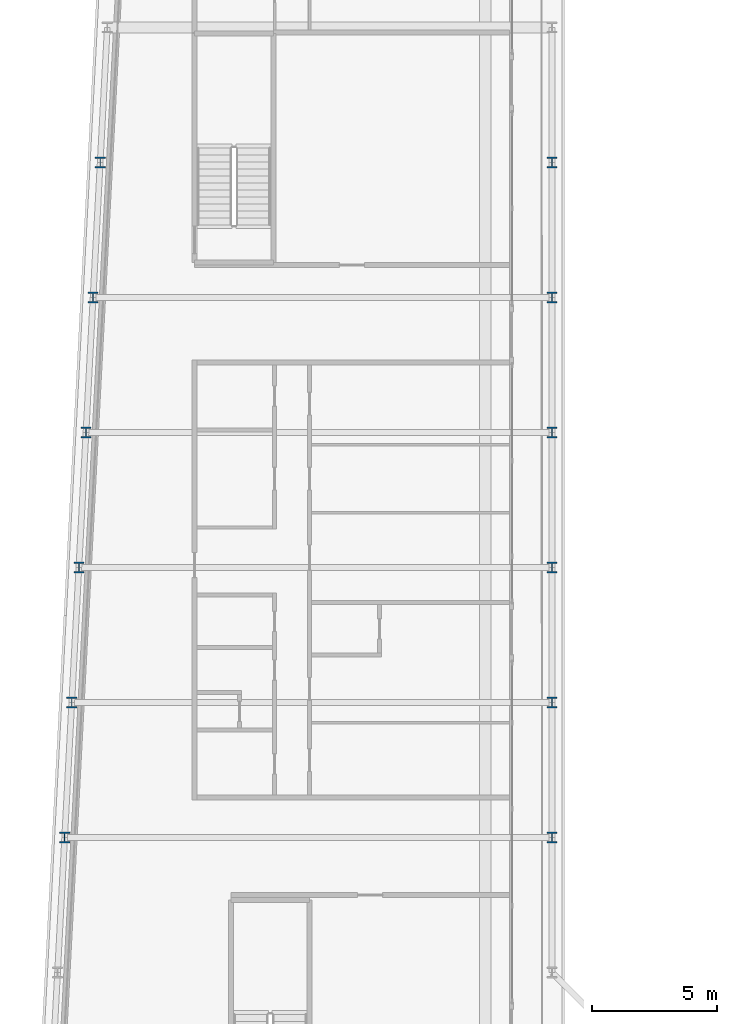
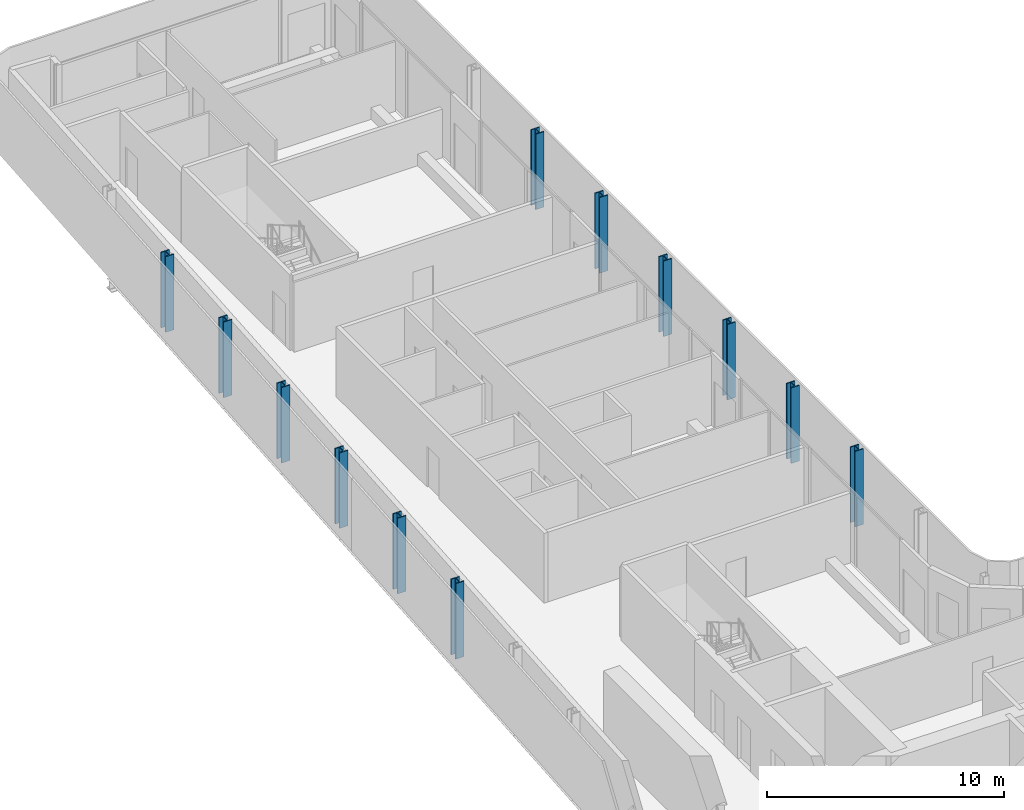
# One storey, part 3 of 28: 12 columns.
"""IFC4 building model written with IfcOpenShell, lengths in metres."""

from ifc_helpers import new_model, si_unit, direction, frame, origin, origin_2d, place, context, subcontext, project, spatial, i_section, extrude, material, material_profile, profile_set, type_object, element, save


model = new_model("IFC4")

# Units and contexts
model_context = context("Model", 3, precision=1e-05, world=origin(), true_north=direction((0.0, 1.0)))
body_context = subcontext(model_context, "Body", "Model", "MODEL_VIEW")
ifc_project = project(units=[si_unit("LENGTHUNIT", "METRE"), si_unit("AREAUNIT", "SQUARE_METRE"), si_unit("VOLUMEUNIT", "CUBIC_METRE"), si_unit("PLANEANGLEUNIT", "RADIAN"), si_unit("MASSUNIT", "GRAM", prefix="KILO")], contexts=[model_context])

# Site, building, storey
site_placement = place(None, origin())
site = spatial("IfcSite", under=ifc_project, at=site_placement, CompositionType="ELEMENT")
building_placement = place(site_placement, origin())
building = spatial("IfcBuilding", under=site, at=building_placement, Name="Kheshtan School and Residences Tower", CompositionType="ELEMENT")
storey_placement = place(building_placement, frame((0.0, 0.0, 187.699951171875)))
storey = spatial("IfcBuildingStorey", under=building, at=storey_placement, Name="L44", CompositionType="ELEMENT", Elevation=187.699951171875)

# Columns
ifc_material = material(Name="Steel ASTM A992 Grade 50", Category="steel")
ifc_material_profile = material_profile(ifc_material, i_section(OverallWidth=0.408935546875, OverallDepth=0.425048828125, WebThickness=0.03271484375, FlangeThickness=0.052490234375, FilletRadius=0.0126953125, at=origin_2d()), Name="W360x421")
ifc_profile_set = profile_set([ifc_material_profile], Name="Steel ASTM A992 Grade 50")
column_type = type_object("IfcColumnType", Name="Column C3 W360x421 ASTM A992 Grade 50", PredefinedType="COLUMN", material=ifc_profile_set)
for number, where, z_axis, x_axis, name in (
    (1, (28.10595703125, 56.39990234375, 0.0), (0.0, 0.0, 1.0), (1.0, 0.0, 0.0), "Column C080"),
    (2, (47.60009765625, 56.39990234375, 0.0), (0.0, 0.0, 1.0), (1.0, 0.0, 0.0), "Column C081"),
    (3, (28.389892578125, 61.800048828125, 0.0), (0.0, 0.0, 1.0), (1.0, 0.0, 0.0), "Column C082"),
    (4, (47.60009765625, 61.800048828125, 0.0), (0.0, 0.0, 1.0), (1.0, 0.0, 0.0), "Column C083"),
    (5, (28.674072265625, 67.199951171875, 0.0), (0.0, 0.0, 1.0), (1.0, 0.0, 0.0), "Column C084"),
    (6, (47.60009765625, 67.199951171875, 0.0), (0.0, 0.0, 1.0), (1.0, 0.0, 0.0), "Column C085"),
    (7, (28.9580078125, 72.60009765625, 0.0), (0.0, 0.0, 1.0), (1.0, 0.0, 0.0), "Column C086"),
    (8, (47.60009765625, 72.60009765625, 0.0), (0.0, 0.0, 1.0), (1.0, 0.0, 0.0), "Column C087"),
    (9, (29.242919921875, 78.0, 0.0), (0.0, 0.0, 1.0), (1.0, 0.0, 0.0), "Column C088"),
    (10, (47.60009765625, 78.0, 0.0), (0.0, 0.0, 1.0), (1.0, 0.0, 0.0), "Column C089"),
    (11, (29.527099609375, 83.39990234375, 0.0), (0.0, 0.0, 1.0), (1.0, 0.0, 0.0), "Column C090"),
    (12, (47.60009765625, 83.39990234375, 0.0), (0.0, 0.0, 1.0), (1.0, 0.0, 0.0), "Column C091"),
):
    element("IfcColumn", number, at=place(storey_placement, frame(where, z_axis=z_axis, x_axis=x_axis)), inside=storey, type_object=column_type, Name=name, PredefinedType="COLUMN", context=body_context, shape_type="SweptSolid", body=[
        extrude(i_section(OverallWidth=0.408935546875, OverallDepth=0.425048828125, WebThickness=0.03271484375, FlangeThickness=0.052490234375, FilletRadius=0.0126953125, at=origin_2d()), origin(), (0.0, 0.0, 1.0), 3.900146484375),
    ])

save(model, "model.ifc")
